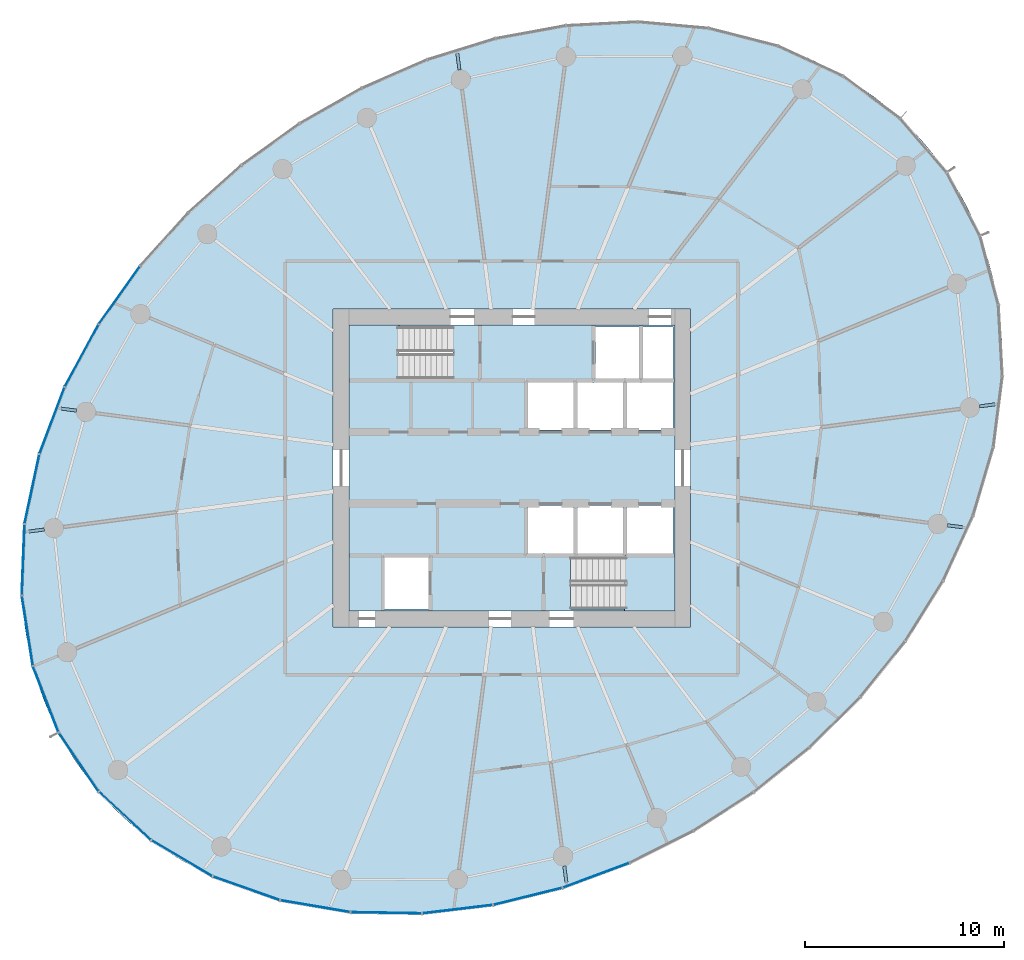
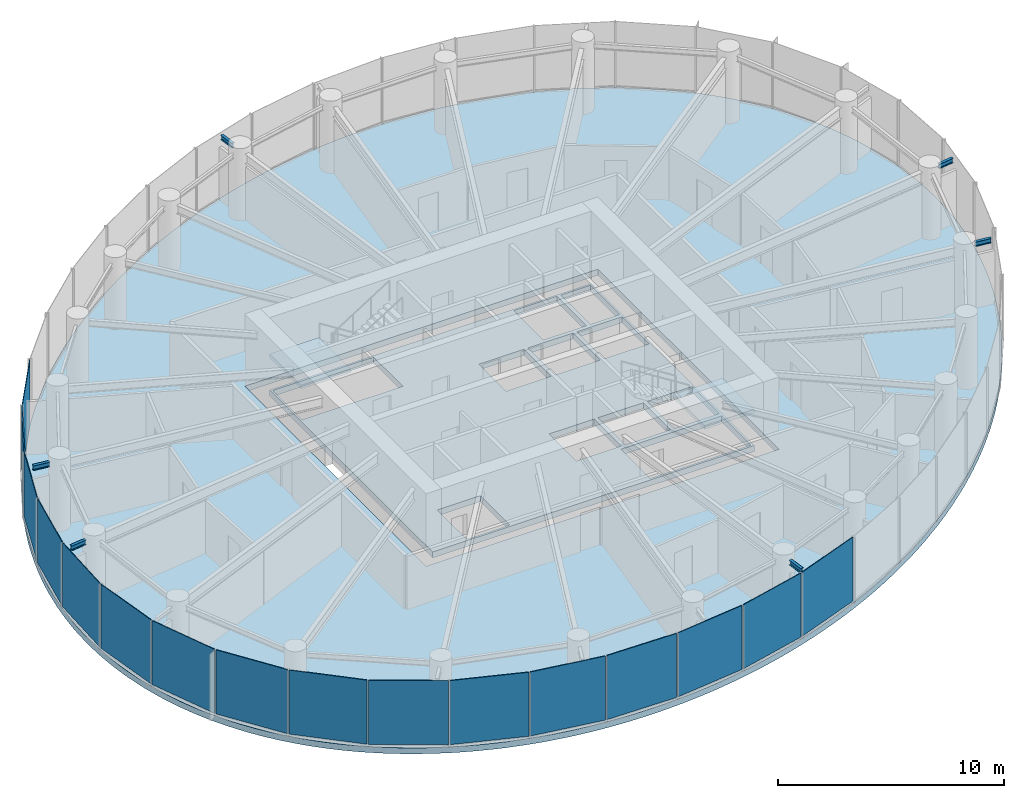
# One storey, part 7 of 14: 16 plates, 6 beams, 4 slabs, 5 elements without a shape of their own.
"""IFC4 building model written with IfcOpenShell, lengths in metres."""

from ifc_helpers import new_model, si_unit, direction, frame, origin, origin_2d, place, context, subcontext, project, spatial, line, indexed_curve, rectangle, i_section, outline, extrude, source, transform, mapped, material, layer, layer_set, material_profile, profile_set, type_object, element, aggregate, save


model = new_model("IFC4")

# Units and contexts
model_context = context("Model", 3, precision=1e-05, world=origin(), true_north=direction((0.0, 1.0)))
body_context = subcontext(model_context, "Body", "Model", "MODEL_VIEW")
ifc_project = project(units=[si_unit("LENGTHUNIT", "METRE"), si_unit("AREAUNIT", "SQUARE_METRE"), si_unit("VOLUMEUNIT", "CUBIC_METRE"), si_unit("PLANEANGLEUNIT", "RADIAN"), si_unit("MASSUNIT", "GRAM", prefix="KILO")], contexts=[model_context])

# Site, building, storey
site_placement = place(None, origin())
site = spatial("IfcSite", under=ifc_project, at=site_placement, CompositionType="ELEMENT")
building_placement = place(site_placement, origin())
building = spatial("IfcBuilding", under=site, at=building_placement, Name="Spindrift Exchange Tower", CompositionType="ELEMENT")
storey_placement = place(building_placement, frame((0.0, 0.0, 144.800048828125)))
storey = spatial("IfcBuildingStorey", under=building, at=storey_placement, Name="L34", CompositionType="ELEMENT", Elevation=144.800048828125)

# Beams
ifc_material_1 = material(Name="Steel Grade 300", Category="steel")
ifc_material_profile = material_profile(ifc_material_1, i_section(OverallWidth=0.14599609375, OverallDepth=0.251953125, WebThickness=0.006103515625, FlangeThickness=0.008544921875, FilletRadius=0.011962890625, at=origin_2d()), Name="250UB31.4")
ifc_profile_set = profile_set([ifc_material_profile], Name="Steel Grade 300")
beam_type = type_object("IfcBeamType", Name="Cantilever Beam 250UB31.4 Steel Grade 300", PredefinedType="BEAM", material=ifc_profile_set)
shared_shape_1 = source(origin(), body_context, "Body", "SweptSolid", [
    extrude(i_section(OverallWidth=0.14599609375, OverallDepth=0.251953125, WebThickness=0.006103515625, FlangeThickness=0.008544921875, FilletRadius=0.011962890625, at=origin_2d()), origin(), (0.0, 0.0, 1.0), 0.78466796875),
])
for number, where, z_axis, x_axis, name in (
    (1, (75.537841796875, 51.098876953125, 3.453857421875), (0.991468055404, 0.130349894953, 0.0), (-0.130349894953, 0.991468055404, 0.0), "L34 cantilever beam R01T"),
    (2, (28.462158203125, 44.901123046875, 3.453857421875), (-0.991468055404, -0.130349894953, 0.0), (0.130349894953, -0.991468055404, 0.0), "L34 cantilever beam R13T"),
):
    element("IfcBeam", number, at=place(storey_placement, frame(where, z_axis=z_axis, x_axis=x_axis)), inside=storey, type_object=beam_type, Name=name, PredefinedType="BEAM", context=body_context, shape_type="MappedRepresentation", body=[
        mapped(shared_shape_1, transform((0.0, 0.0, 0.0), scale=1.0)),
    ])
shared_shape_2 = source(origin(), body_context, "Body", "SweptSolid", [
    extrude(i_section(OverallWidth=0.14599609375, OverallDepth=0.251953125, WebThickness=0.006103515625, FlangeThickness=0.008544921875, FilletRadius=0.011962890625, at=origin_2d()), origin(), (0.0, 0.0, 1.0), 0.84228515625),
])
for number, where, z_axis, x_axis, name in (
    (3, (49.36328125, 68.027099609375, 3.453857421875), (-0.130417027817, 0.991459227026, 0.0), (-0.991459227026, -0.130417027817, 0.0), "L34 cantilever beam R07T"),
    (4, (54.63671875, 27.972900390625, 3.453857421875), (0.130417027817, -0.991459227026, 0.0), (0.991459227026, 0.130417027817, 0.0), "L34 cantilever beam R19T"),
):
    element("IfcBeam", number, at=place(storey_placement, frame(where, z_axis=z_axis, x_axis=x_axis)), inside=storey, type_object=beam_type, Name=name, PredefinedType="BEAM", context=body_context, shape_type="MappedRepresentation", body=[
        mapped(shared_shape_2, transform((0.0, 0.0, 0.0), scale=1.0)),
    ])
shared_shape_3 = source(origin(), body_context, "Body", "SweptSolid", [
    extrude(i_section(OverallWidth=0.14599609375, OverallDepth=0.251953125, WebThickness=0.006103515625, FlangeThickness=0.008544921875, FilletRadius=0.011962890625, at=origin_2d()), origin(), (0.0, 0.0, 1.0), 0.7890625),
])
for number, where, z_axis, x_axis, name in (
    (5, (30.0830078125, 50.885498046875, 3.453857421875), (-0.99147745178, 0.130278404244, 0.0), (-0.130278404244, -0.99147745178, 0.0), "L34 cantilever beam R12T"),
    (6, (73.9169921875, 45.114501953125, 3.453857421875), (0.99147745178, -0.130278404244, 0.0), (0.130278404244, 0.99147745178, 0.0), "L34 cantilever beam R24T"),
):
    element("IfcBeam", number, at=place(storey_placement, frame(where, z_axis=z_axis, x_axis=x_axis)), inside=storey, type_object=beam_type, Name=name, PredefinedType="BEAM", context=body_context, shape_type="MappedRepresentation", body=[
        mapped(shared_shape_3, transform((0.0, 0.0, 0.0), scale=1.0)),
    ])

# Slabs
ifc_material_2 = material(Name="Concrete 40 MPa", Category="concrete")
ifc_layer_1 = layer(ifc_material_2, 0.320068359375)
ifc_layer_set_1 = layer_set([ifc_layer_1], Name="RC Floor Slab 320 Concrete 40 MPa")
slab_type_1 = type_object("IfcSlabType", Name="RC Floor Slab 320 Concrete 40 MPa", PredefinedType="FLOOR", material=ifc_layer_set_1)
slab_1_placement = place(storey_placement, frame((0.0, 0.0, -0.320068359375)))
element("IfcSlab", 7, at=slab_1_placement, inside=storey, type_object=slab_type_1, Name="Floor slab L34", PredefinedType="FLOOR", context=body_context, shape_type="SweptSolid", body=[
    extrude(outline(indexed_curve([(73.890380859375, 62.86669921875), (73.655517578125, 63.202880859375), (73.412109375, 63.532958984375), (73.15966796875, 63.856689453125), (72.899169921875, 64.173583984375), (72.630615234375, 64.483642578125), (72.353759765625, 64.78662109375), (72.0693359375, 65.082275390625), (71.777587890625, 65.37060546875), (71.478271484375, 65.6513671875), (71.172119140625, 65.92431640625), (70.859130859375, 66.189697265625), (70.539794921875, 66.447021484375), (70.2138671875, 66.696533203125), (69.544677734375, 67.171142578125), (68.853515625, 67.613037109375), (68.5, 67.82177734375), (67.779541015625, 68.21435546875), (67.0419921875, 68.573974609375), (66.66748046875, 68.7412109375), (65.907958984375, 69.051513671875), (65.135986328125, 69.32958984375), (64.74560546875, 69.45654296875), (63.958251953125, 69.686767578125), (63.162109375, 69.8857421875), (62.761474609375, 69.9736328125), (61.955322265625, 70.127197265625), (61.55029296875, 70.192626953125), (60.737060546875, 70.3017578125), (60.3291015625, 70.345458984375), (59.51123046875, 70.411865234375), (59.1015625, 70.4345703125), (58.281494140625, 70.4599609375), (57.4609375, 70.45849609375), (57.05078125, 70.447998046875), (56.231201171875, 70.407958984375), (55.822021484375, 70.37841796875), (55.0048828125, 70.30126953125), (54.597412109375, 70.253662109375), (54.19091796875, 70.199951171875), (53.379638671875, 70.0751953125), (52.572509765625, 69.927490234375), (52.170654296875, 69.84521484375), (51.769775390625, 69.757568359375), (50.971923828125, 69.56591796875), (50.5751953125, 69.4619140625), (49.785400390625, 69.238525390625), (49.39306640625, 69.118896484375), (48.61279296875, 68.86474609375), (48.22509765625, 68.730224609375), (47.455322265625, 68.4462890625), (46.69287109375, 68.143310546875), (46.314453125, 67.984619140625), (45.93798828125, 67.821044921875), (45.191650390625, 67.480712890625), (44.821533203125, 67.303466796875), (44.087890625, 66.935791015625), (43.004638671875, 66.351318359375), (41.943359375, 65.728271484375), (41.248291015625, 65.291748046875), (40.564208984375, 64.8388671875), (39.55859375, 64.12939453125), (38.902587890625, 63.636474609375), (38.25830078125, 63.1279296875), (37.315673828125, 62.336669921875), (37.0078125, 62.065185546875), (36.40234375, 61.51171875), (36.104736328125, 61.229248046875), (35.52001953125, 60.653564453125), (35.23291015625, 60.3603515625), (34.669921875, 59.763427734375), (34.122314453125, 59.15234375), (33.854248046875, 58.841796875), (33.330322265625, 58.210205078125), (33.074462890625, 57.889404296875), (32.57568359375, 57.238037109375), (32.332763671875, 56.9072265625), (32.09423828125, 56.573486328125), (31.630859375, 55.896240234375), (31.186279296875, 55.20654296875), (30.971435546875, 54.85693359375), (30.761474609375, 54.504638671875), (30.356689453125, 53.790771484375), (29.972900390625, 53.065673828125), (29.7890625, 52.69873046875), (29.438232421875, 51.95703125), (29.271484375, 51.58203125), (28.955322265625, 50.82470703125), (28.806640625, 50.4423828125), (28.663818359375, 50.057861328125), (28.397705078125, 49.28173828125), (28.157958984375, 48.496826171875), (28.048095703125, 48.1015625), (27.849609375, 47.305419921875), (27.76123046875, 46.90478515625), (27.606689453125, 46.09912109375), (27.54052734375, 45.694091796875), (27.43212890625, 44.880615234375), (27.355712890625, 44.063720703125), (27.329833984375, 43.654296875), (27.303466796875, 42.834228515625), (27.30322265625, 42.423828125), (27.32958984375, 41.603759765625), (27.3916015625, 40.78564453125), (27.490966796875, 39.97119140625), (27.5546875, 39.56591796875), (27.710693359375, 38.76025390625), (27.802978515625, 38.360595703125), (28.0166015625, 37.568359375), (28.13818359375, 37.176513671875), (28.269287109375, 36.787841796875), (28.410400390625, 36.402587890625), (28.56103515625, 36.02099609375), (28.721435546875, 35.643310546875), (28.891357421875, 35.269775390625), (29.071044921875, 34.90087890625), (29.260009765625, 34.536865234375), (29.45849609375, 34.177734375), (29.66650390625, 33.823974609375), (29.88330078125, 33.475830078125), (30.109619140625, 33.13330078125), (30.344482421875, 32.797119140625), (30.587890625, 32.467041015625), (30.84033203125, 32.143310546875), (31.100830078125, 31.826416015625), (31.369384765625, 31.516357421875), (31.646240234375, 31.21337890625), (31.9306640625, 30.917724609375), (32.222412109375, 30.62939453125), (32.521728515625, 30.3486328125), (32.827880859375, 30.07568359375), (33.140869140625, 29.810302734375), (33.460205078125, 29.552978515625), (33.7861328125, 29.303466796875), (34.455322265625, 28.828857421875), (35.146484375, 28.386962890625), (35.5, 28.17822265625), (36.220458984375, 27.78564453125), (36.9580078125, 27.426025390625), (37.33251953125, 27.2587890625), (38.092041015625, 26.948486328125), (38.864013671875, 26.67041015625), (39.25439453125, 26.54345703125), (40.041748046875, 26.313232421875), (40.837890625, 26.1142578125), (41.238525390625, 26.0263671875), (42.044677734375, 25.872802734375), (42.44970703125, 25.807373046875), (43.262939453125, 25.6982421875), (43.6708984375, 25.654541015625), (44.48876953125, 25.588134765625), (44.8984375, 25.5654296875), (45.718505859375, 25.5400390625), (46.5390625, 25.54150390625), (46.94921875, 25.552001953125), (47.768798828125, 25.592041015625), (48.177978515625, 25.62158203125), (48.9951171875, 25.69873046875), (49.402587890625, 25.746337890625), (49.80908203125, 25.800048828125), (50.620361328125, 25.9248046875), (51.427490234375, 26.072509765625), (51.829345703125, 26.15478515625), (52.230224609375, 26.242431640625), (53.028076171875, 26.43408203125), (53.4248046875, 26.5380859375), (54.214599609375, 26.761474609375), (54.60693359375, 26.881103515625), (55.38720703125, 27.13525390625), (55.77490234375, 27.269775390625), (56.544677734375, 27.5537109375), (57.30712890625, 27.856689453125), (57.685546875, 28.015380859375), (58.06201171875, 28.178955078125), (58.808349609375, 28.519287109375), (59.178466796875, 28.696533203125), (59.912109375, 29.064208984375), (60.995361328125, 29.648681640625), (62.056640625, 30.271728515625), (62.751708984375, 30.708251953125), (63.435791015625, 31.1611328125), (64.44140625, 31.87060546875), (65.097412109375, 32.363525390625), (65.74169921875, 32.8720703125), (66.684326171875, 33.663330078125), (66.9921875, 33.934814453125), (67.59765625, 34.48828125), (67.895263671875, 34.770751953125), (68.47998046875, 35.346435546875), (68.76708984375, 35.6396484375), (69.330078125, 36.236572265625), (69.877685546875, 36.84765625), (70.145751953125, 37.158203125), (70.669677734375, 37.789794921875), (70.925537109375, 38.110595703125), (71.42431640625, 38.761962890625), (71.667236328125, 39.0927734375), (71.90576171875, 39.426513671875), (72.369140625, 40.103759765625), (72.813720703125, 40.79345703125), (73.028564453125, 41.14306640625), (73.238525390625, 41.495361328125), (73.643310546875, 42.209228515625), (74.027099609375, 42.934326171875), (74.2109375, 43.30126953125), (74.561767578125, 44.04296875), (74.728515625, 44.41796875), (75.044677734375, 45.17529296875), (75.193359375, 45.5576171875), (75.336181640625, 45.942138671875), (75.602294921875, 46.71826171875), (75.842041015625, 47.503173828125), (75.951904296875, 47.8984375), (76.150390625, 48.694580078125), (76.23876953125, 49.09521484375), (76.393310546875, 49.90087890625), (76.45947265625, 50.305908203125), (76.56787109375, 51.119384765625), (76.644287109375, 51.936279296875), (76.670166015625, 52.345703125), (76.696533203125, 53.165771484375), (76.69677734375, 53.576171875), (76.67041015625, 54.396240234375), (76.6083984375, 55.21435546875), (76.509033203125, 56.02880859375), (76.4453125, 56.43408203125), (76.289306640625, 57.23974609375), (76.197021484375, 57.639404296875), (75.9833984375, 58.431640625), (75.86181640625, 58.823486328125), (75.730712890625, 59.212158203125), (75.589599609375, 59.597412109375), (75.43896484375, 59.97900390625), (75.278564453125, 60.356689453125), (75.108642578125, 60.730224609375), (74.928955078125, 61.09912109375), (74.739990234375, 61.463134765625), (74.54150390625, 61.822265625), (74.33349609375, 62.176025390625), (74.11669921875, 62.524169921875)], segments=[line(1, 2, 3, 4, 5, 6, 7, 8, 9, 10, 11, 12, 13, 14, 15, 16, 17, 18, 19, 20, 21, 22, 23, 24, 25, 26, 27, 28, 29, 30, 31, 32, 33, 34, 35, 36, 37, 38, 39, 40, 41, 42, 43, 44, 45, 46, 47, 48, 49, 50, 51, 52, 53, 54, 55, 56, 57, 58, 59, 60, 61, 62, 63, 64, 65, 66, 67, 68, 69, 70, 71, 72, 73, 74, 75, 76, 77, 78, 79, 80, 81, 82, 83, 84, 85, 86, 87, 88, 89, 90, 91, 92, 93, 94, 95, 96, 97, 98, 99, 100, 101, 102, 103, 104, 105, 106, 107, 108, 109, 110, 111, 112, 113, 114, 115, 116, 117, 118, 119, 120, 121, 122, 123, 124, 125, 126, 127, 128, 129, 130, 131, 132, 133, 134, 135, 136, 137, 138, 139, 140, 141, 142, 143, 144, 145, 146, 147, 148, 149, 150, 151, 152, 153, 154, 155, 156, 157, 158, 159, 160, 161, 162, 163, 164, 165, 166, 167, 168, 169, 170, 171, 172, 173, 174, 175, 176, 177, 178, 179, 180, 181, 182, 183, 184, 185, 186, 187, 188, 189, 190, 191, 192, 193, 194, 195, 196, 197, 198, 199, 200, 201, 202, 203, 204, 205, 206, 207, 208, 209, 210, 211, 212, 213, 214, 215, 216, 217, 218, 219, 220, 221, 222, 223, 224, 225, 226, 227, 228, 229, 230, 231, 232, 233, 234, 235, 236, 237, 238, 239, 240, 1)], self_intersect=False), holes=[indexed_curve([(43.0, 40.0), (61.0, 40.0), (61.0, 56.0), (43.0, 56.0)], segments=[line(1, 2, 3, 4, 1)], self_intersect=False)]), origin(), (0.0, 0.0, 1.0), 0.320068359375),
])
ifc_material_3 = material(Name="Concrete 50 MPa", Category="concrete")
ifc_layer_2 = layer(ifc_material_3, 0.320068359375)
ifc_layer_set_2 = layer_set([ifc_layer_2], Name="SL-CORE-FLOOR-320")
slab_type_2 = type_object("IfcSlabType", Name="SL-CORE-FLOOR-320", PredefinedType="FLOOR", material=ifc_layer_set_2)
slab_2_placement = place(storey_placement, frame((0.0, 0.0, -0.320068359375)))
element("IfcSlab", 8, at=slab_2_placement, inside=storey, type_object=slab_type_2, Name="L34 Core floor slab", PredefinedType="FLOOR", context=body_context, shape_type="SweptSolid", body=[
    extrude(outline(indexed_curve([(43.800048828125, 40.800048828125), (43.800048828125, 55.199951171875), (60.199951171875, 55.199951171875), (60.199951171875, 40.800048828125)], segments=[line(1, 2, 3, 4, 1)], self_intersect=False), holes=[indexed_curve([(45.60009765625, 43.5), (45.60009765625, 40.89990234375), (47.800048828125, 40.89990234375), (47.800048828125, 43.5)], segments=[line(1, 2, 3, 4, 1)], self_intersect=False), indexed_curve([(52.800048828125, 46.10009765625), (52.800048828125, 43.699951171875), (55.10009765625, 43.699951171875), (55.10009765625, 46.10009765625)], segments=[line(1, 2, 3, 4, 1)], self_intersect=False), indexed_curve([(55.300048828125, 46.10009765625), (55.300048828125, 43.699951171875), (57.60009765625, 43.699951171875), (57.60009765625, 46.10009765625)], segments=[line(1, 2, 3, 4, 1)], self_intersect=False), indexed_curve([(55.10009765625, 52.300048828125), (52.800048828125, 52.300048828125), (52.800048828125, 49.89990234375), (55.10009765625, 49.89990234375)], segments=[line(1, 2, 3, 4, 1)], self_intersect=False), indexed_curve([(57.60009765625, 52.300048828125), (55.300048828125, 52.300048828125), (55.300048828125, 49.89990234375), (57.60009765625, 49.89990234375)], segments=[line(1, 2, 3, 4, 1)], self_intersect=False), indexed_curve([(43.906005859375, 52.506103515625), (49.0439453125, 52.506103515625), (49.0439453125, 55.093994140625), (43.906005859375, 55.093994140625)], segments=[line(1, 2, 3, 4, 1)], self_intersect=False), indexed_curve([(60.093994140625, 40.906005859375), (60.093994140625, 43.493896484375), (54.9560546875, 43.493896484375), (54.9560546875, 40.906005859375)], segments=[line(1, 2, 3, 4, 1)], self_intersect=False), indexed_curve([(60.10009765625, 46.10009765625), (57.800048828125, 46.10009765625), (57.800048828125, 43.699951171875), (60.10009765625, 43.699951171875)], segments=[line(1, 2, 3, 4, 1)], self_intersect=False), indexed_curve([(57.800048828125, 52.300048828125), (57.800048828125, 49.89990234375), (60.10009765625, 49.89990234375), (60.10009765625, 52.300048828125)], segments=[line(1, 2, 3, 4, 1)], self_intersect=False), indexed_curve([(58.39990234375, 55.10009765625), (56.199951171875, 55.10009765625), (56.199951171875, 52.5), (58.39990234375, 52.5)], segments=[line(1, 2, 3, 4, 1)], self_intersect=False), indexed_curve([(60.10009765625, 55.10009765625), (58.60009765625, 55.10009765625), (58.60009765625, 52.5), (60.10009765625, 52.5)], segments=[line(1, 2, 3, 4, 1)], self_intersect=False)]), origin(), (0.0, 0.0, 1.0), 0.320068359375),
])

# Stair, slab
stair_type = type_object("IfcStairType", Name="ST-1250-R177", PredefinedType="HALF_TURN_STAIR", material=ifc_material_3)
stair_1_placement = place(storey_placement, origin())
stair_1 = element("IfcStair", 9, at=stair_1_placement, inside=storey, type_object=stair_type, Name="L34 Exit stair ST1", PredefinedType="HALF_TURN_STAIR")
ifc_layer_3 = layer(ifc_material_3, 0.199951171875)
ifc_layer_set_3 = layer_set([ifc_layer_3], Name="SL-LANDING")
slab_type_3 = type_object("IfcSlabType", Name="SL-LANDING", PredefinedType="LANDING", material=ifc_layer_set_3)
slab_3_placement = place(storey_placement, frame((0.0, 0.0, 1.75)))
slab_3 = element("IfcSlab", 10, at=slab_3_placement, type_object=slab_type_3, Name="ST1 landing 1", PredefinedType="LANDING", context=body_context, shape_type="SweptSolid", body=[
    extrude(outline(indexed_curve([(46.330078125, 52.39990234375), (43.800048828125, 52.39990234375), (43.800048828125, 55.199951171875), (46.330078125, 55.199951171875)], segments=[line(1, 2, 3, 4, 1)], self_intersect=False)), origin(), (0.0, 0.0, 1.0), 0.199951171875),
])
aggregate(stair_1, [slab_3])

stair_2_placement = place(storey_placement, origin())
stair_2 = element("IfcStair", 11, at=stair_2_placement, inside=storey, type_object=stair_type, Name="L34 Exit stair ST2", PredefinedType="HALF_TURN_STAIR")
slab_4_placement = place(storey_placement, frame((0.0, 0.0, 1.75)))
slab_4 = element("IfcSlab", 12, at=slab_4_placement, type_object=slab_type_3, Name="ST2 landing 1", PredefinedType="LANDING", context=body_context, shape_type="SweptSolid", body=[
    extrude(outline(indexed_curve([(57.669921875, 43.60009765625), (60.199951171875, 43.60009765625), (60.199951171875, 40.800048828125), (57.669921875, 40.800048828125)], segments=[line(1, 2, 3, 4, 1)], self_intersect=False)), origin(), (0.0, 0.0, 1.0), 0.199951171875),
])
aggregate(stair_2, [slab_4])

# Curtain wall, plate
ifc_material_4 = material(Name="Fritted laminated glass with bronze frame", Category="glass")
ifc_layer_4 = layer(ifc_material_4, 0.179931640625)
ifc_layer_set_4 = layer_set([ifc_layer_4], Name="ZONE 3 BRONZE FRITTED WALL")
curtain_wall_type = type_object("IfcCurtainWallType", Name="ZONE 3 BRONZE FRITTED WALL", PredefinedType="NOTDEFINED", material=ifc_layer_set_4)
curtain_wall_1_placement = place(storey_placement, origin())
curtain_wall_1 = element("IfcCurtainWall", 13, at=curtain_wall_1_placement, inside=storey, type_object=curtain_wall_type, Name="L34 Zone 3 Bronze Fritted Wall run 3", PredefinedType="NOTDEFINED")
ifc_material_5 = material(Name="Bronze fritted laminated glass, open frit", Category="glass")
ifc_layer_5 = layer(ifc_material_5, 0.031982421875)
ifc_layer_set_5 = layer_set([ifc_layer_5], Name="ZONE 3 BRONZE FRITTED WALL PANEL OPEN FRIT 360")
plate_type_1 = type_object("IfcPlateType", Name="ZONE 3 BRONZE FRITTED WALL PANEL OPEN FRIT 360", PredefinedType="CURTAIN_PANEL", material=ifc_layer_set_5)
shared_shape_4 = source(origin(), body_context, "Body", "SweptSolid", [
    extrude(rectangle(XDim=3.530517578125, YDim=0.031982421875, at=origin_2d()), origin(), (0.0, 0.0, 1.0), 3.449951171875),
])
plate_1_placement = place(storey_placement, frame((32.24755859375, 56.69775390625, 0.1298828125), z_axis=(0.0, 0.0, 1.0), x_axis=(-0.580539540558, -0.81423205651, 0.0)))
plate_1 = element("IfcPlate", 14, at=plate_1_placement, type_object=plate_type_1, Name="L34 panel CW-3.14", PredefinedType="CURTAIN_PANEL", context=body_context, shape_type="MappedRepresentation", body=[
    mapped(shared_shape_4, transform((0.0, 0.0, 0.0), scale=1.0)),
])

# Curtain wall, plates
curtain_wall_2_placement = place(storey_placement, origin())
curtain_wall_2 = element("IfcCurtainWall", 15, at=curtain_wall_2_placement, inside=storey, type_object=curtain_wall_type, Name="L34 Zone 3 Bronze Fritted Wall run 5", PredefinedType="NOTDEFINED")
plate_2_placement = place(storey_placement, frame((52.8017578125, 26.43212890625, 0.1298828125), z_axis=(0.0, 0.0, 1.0), x_axis=(0.970916976027, 0.239416427304, 0.0)))
plate_2 = element("IfcPlate", 16, at=plate_2_placement, type_object=plate_type_1, Name="L34 panel CW-3.28", PredefinedType="CURTAIN_PANEL", context=body_context, shape_type="MappedRepresentation", body=[
    mapped(shared_shape_4, transform((0.0, 0.0, 0.0), scale=1.0)),
])
shared_shape_5 = source(origin(), body_context, "Body", "SweptSolid", [
    extrude(rectangle(XDim=3.530029296875, YDim=0.031982421875, at=origin_2d()), origin(), (0.0, 0.0, 1.0), 3.449951171875),
])
plate_3_placement = place(storey_placement, frame((49.2666015625, 25.7880859375, 0.1298828125), z_axis=(0.0, 0.0, 1.0), x_axis=(0.992967781117, 0.118384904715, 0.0)))
plate_3 = element("IfcPlate", 17, at=plate_3_placement, type_object=plate_type_1, Name="L34 panel CW-3.27", PredefinedType="CURTAIN_PANEL", context=body_context, shape_type="MappedRepresentation", body=[
    mapped(shared_shape_5, transform((0.0, 0.0, 0.0), scale=1.0)),
])

# Plate
shared_shape_6 = source(origin(), body_context, "Body", "SweptSolid", [
    extrude(rectangle(XDim=3.52880859375, YDim=0.031982421875, at=origin_2d()), origin(), (0.0, 0.0, 1.0), 3.449951171875),
])
plate_4_placement = place(storey_placement, frame((27.84228515625, 46.938720703125, 0.1298828125), z_axis=(0.0, 0.0, 1.0), x_axis=(-0.208044849681, -0.97811928747, 0.0)))
plate_4 = element("IfcPlate", 18, at=plate_4_placement, type_object=plate_type_1, Name="L34 panel CW-3.17", PredefinedType="CURTAIN_PANEL", context=body_context, shape_type="MappedRepresentation", body=[
    mapped(shared_shape_6, transform((0.0, 0.0, 0.0), scale=1.0)),
])

# Curtain wall, plates
curtain_wall_3_placement = place(storey_placement, origin())
curtain_wall_3 = element("IfcCurtainWall", 19, at=curtain_wall_3_placement, inside=storey, type_object=curtain_wall_type, Name="L34 Zone 3 Bronze Fritted Wall run 4", PredefinedType="NOTDEFINED")
ifc_layer_6 = layer(ifc_material_5, 0.031982421875)
ifc_layer_set_6 = layer_set([ifc_layer_6], Name="ZONE 3 BRONZE FRITTED WALL PANEL OPEN FRIT 600")
plate_type_2 = type_object("IfcPlateType", Name="ZONE 3 BRONZE FRITTED WALL PANEL OPEN FRIT 600", PredefinedType="CURTAIN_PANEL", material=ifc_layer_set_6)
shared_shape_7 = source(origin(), body_context, "Body", "SweptSolid", [
    extrude(rectangle(XDim=3.5263671875, YDim=0.031982421875, at=origin_2d()), origin(), (0.0, 0.0, 1.0), 3.449951171875),
])
plate_5_placement = place(storey_placement, frame((35.39111328125, 28.34814453125, 0.1298828125), z_axis=(0.0, 0.0, 1.0), x_axis=(0.861309207858, -0.508081143578, 0.0)))
plate_5 = element("IfcPlate", 20, at=plate_5_placement, type_object=plate_type_2, Name="L34 panel CW-3.23", PredefinedType="CURTAIN_PANEL", context=body_context, shape_type="MappedRepresentation", body=[
    mapped(shared_shape_7, transform((0.0, 0.0, 0.0), scale=1.0)),
])
shared_shape_8 = source(origin(), body_context, "Body", "SweptSolid", [
    extrude(rectangle(XDim=3.525146484375, YDim=0.031982421875, at=origin_2d()), origin(), (0.0, 0.0, 1.0), 3.449951171875),
])
plate_6_placement = place(storey_placement, frame((32.5234375, 30.483154296875, 0.1298828125), z_axis=(0.0, 0.0, 1.0), x_axis=(0.733667011378, -0.679509173165, 0.0)))
plate_6 = element("IfcPlate", 21, at=plate_6_placement, type_object=plate_type_2, Name="L34 panel CW-3.22", PredefinedType="CURTAIN_PANEL", context=body_context, shape_type="MappedRepresentation", body=[
    mapped(shared_shape_8, transform((0.0, 0.0, 0.0), scale=1.0)),
])

# Plate
shared_shape_9 = source(origin(), body_context, "Body", "SweptSolid", [
    extrude(rectangle(XDim=3.527587890625, YDim=0.031982421875, at=origin_2d()), origin(), (0.0, 0.0, 1.0), 3.449951171875),
])
plate_7_placement = place(storey_placement, frame((27.3994140625, 43.381103515625, 0.1298828125), z_axis=(0.0, 0.0, 1.0), x_axis=(-0.038220380441, -0.999269334323, 0.0)))
plate_7 = element("IfcPlate", 22, at=plate_7_placement, type_object=plate_type_2, Name="L34 panel CW-3.18", PredefinedType="CURTAIN_PANEL", context=body_context, shape_type="MappedRepresentation", body=[
    mapped(shared_shape_9, transform((0.0, 0.0, 0.0), scale=1.0)),
])

ifc_layer_7 = layer(ifc_material_5, 0.031982421875)
ifc_layer_set_7 = layer_set([ifc_layer_7], Name="ZONE 3 BRONZE FRITTED WALL PANEL OPEN FRIT 480")
plate_type_3 = type_object("IfcPlateType", Name="ZONE 3 BRONZE FRITTED WALL PANEL OPEN FRIT 480", PredefinedType="CURTAIN_PANEL", material=ifc_layer_set_7)
shared_shape_10 = source(origin(), body_context, "Body", "SweptSolid", [
    extrude(rectangle(XDim=3.53076171875, YDim=0.031982421875, at=origin_2d()), origin(), (0.0, 0.0, 1.0), 3.449951171875),
])
plate_8_placement = place(storey_placement, frame((56.237060546875, 27.490966796875, 0.1298828125), z_axis=(0.0, 0.0, 1.0), x_axis=(0.937252784299, 0.348650567651, 0.0)))
plate_8 = element("IfcPlate", 23, at=plate_8_placement, type_object=plate_type_3, Name="L34 panel CW-3.29", PredefinedType="CURTAIN_PANEL", context=body_context, shape_type="MappedRepresentation", body=[
    mapped(shared_shape_10, transform((0.0, 0.0, 0.0), scale=1.0)),
])

shared_shape_11 = source(origin(), body_context, "Body", "SweptSolid", [
    extrude(rectangle(XDim=3.530029296875, YDim=0.031982421875, at=origin_2d()), origin(), (0.0, 0.0, 1.0), 3.449951171875),
])
plate_9_placement = place(storey_placement, frame((30.34521484375, 53.649169921875, 0.1298828125), z_axis=(0.0, 0.0, 1.0), x_axis=(-0.476186023149, -0.879344569186, 0.0)))
plate_9 = element("IfcPlate", 24, at=plate_9_placement, type_object=plate_type_3, Name="L34 panel CW-3.15", PredefinedType="CURTAIN_PANEL", context=body_context, shape_type="MappedRepresentation", body=[
    mapped(shared_shape_11, transform((0.0, 0.0, 0.0), scale=1.0)),
])

shared_shape_12 = source(origin(), body_context, "Body", "SweptSolid", [
    extrude(rectangle(XDim=3.527587890625, YDim=0.031982421875, at=origin_2d()), origin(), (0.0, 0.0, 1.0), 3.449951171875),
])
plate_10_placement = place(storey_placement, frame((38.635986328125, 26.835693359375, 0.1298828125), z_axis=(0.0, 0.0, 1.0), x_axis=(0.942965555411, -0.332890314231, 0.0)))
plate_10 = element("IfcPlate", 25, at=plate_10_placement, type_object=plate_type_3, Name="L34 panel CW-3.24", PredefinedType="CURTAIN_PANEL", context=body_context, shape_type="MappedRepresentation", body=[
    mapped(shared_shape_12, transform((0.0, 0.0, 0.0), scale=1.0)),
])

shared_shape_13 = source(origin(), body_context, "Body", "SweptSolid", [
    extrude(rectangle(XDim=3.524658203125, YDim=0.031982421875, at=origin_2d()), origin(), (0.0, 0.0, 1.0), 3.449951171875),
])
plate_11_placement = place(storey_placement, frame((30.19482421875, 33.19140625, 0.1298828125), z_axis=(0.0, 0.0, 1.0), x_axis=(0.56181196435, -0.827264961613, 0.0)))
plate_11 = element("IfcPlate", 26, at=plate_11_placement, type_object=plate_type_1, Name="L34 panel CW-3.21", PredefinedType="CURTAIN_PANEL", context=body_context, shape_type="MappedRepresentation", body=[
    mapped(shared_shape_13, transform((0.0, 0.0, 0.0), scale=1.0)),
])

shared_shape_14 = source(origin(), body_context, "Body", "SweptSolid", [
    extrude(rectangle(XDim=3.525146484375, YDim=0.031982421875, at=origin_2d()), origin(), (0.0, 0.0, 1.0), 3.449951171875),
])
plate_12_placement = place(storey_placement, frame((28.535888671875, 36.3544921875, 0.1298828125), z_axis=(0.0, 0.0, 1.0), x_axis=(0.361129846755, -0.932515540773, 0.0)))
plate_12 = element("IfcPlate", 27, at=plate_12_placement, type_object=plate_type_1, Name="L34 panel CW-3.20", PredefinedType="CURTAIN_PANEL", context=body_context, shape_type="MappedRepresentation", body=[
    mapped(shared_shape_14, transform((0.0, 0.0, 0.0), scale=1.0)),
])

shared_shape_15 = source(origin(), body_context, "Body", "SweptSolid", [
    extrude(rectangle(XDim=3.5263671875, YDim=0.031982421875, at=origin_2d()), origin(), (0.0, 0.0, 1.0), 3.449951171875),
])
plate_13_placement = place(storey_placement, frame((27.60888671875, 39.807373046875, 0.1298828125), z_axis=(0.0, 0.0, 1.0), x_axis=(0.154687970161, -0.987963375782, 0.0)))
plate_13 = element("IfcPlate", 28, at=plate_13_placement, type_object=plate_type_3, Name="L34 panel CW-3.19", PredefinedType="CURTAIN_PANEL", context=body_context, shape_type="MappedRepresentation", body=[
    mapped(shared_shape_15, transform((0.0, 0.0, 0.0), scale=1.0)),
])

aggregate(curtain_wall_3, [plate_13, plate_12, plate_11, plate_6, plate_5, plate_10])

shared_shape_16 = source(origin(), body_context, "Body", "SweptSolid", [
    extrude(rectangle(XDim=3.528564453125, YDim=0.031982421875, at=origin_2d()), origin(), (0.0, 0.0, 1.0), 3.449951171875),
])
plate_14_placement = place(storey_placement, frame((42.106201171875, 25.935791015625, 0.1298828125), z_axis=(0.0, 0.0, 1.0), x_axis=(0.985908290036, -0.167286710885, 0.0)))
plate_14 = element("IfcPlate", 29, at=plate_14_placement, type_object=plate_type_3, Name="L34 panel CW-3.25", PredefinedType="CURTAIN_PANEL", context=body_context, shape_type="MappedRepresentation", body=[
    mapped(shared_shape_16, transform((0.0, 0.0, 0.0), scale=1.0)),
])

shared_shape_17 = source(origin(), body_context, "Body", "SweptSolid", [
    extrude(rectangle(XDim=3.529541015625, YDim=0.031982421875, at=origin_2d()), origin(), (0.0, 0.0, 1.0), 3.449951171875),
])
plate_15_placement = place(storey_placement, frame((28.852294921875, 50.382568359375, 0.1298828125), z_axis=(0.0, 0.0, 1.0), x_axis=(-0.353189112176, -0.935551949942, 0.0)))
plate_15 = element("IfcPlate", 30, at=plate_15_placement, type_object=plate_type_1, Name="L34 panel CW-3.16", PredefinedType="CURTAIN_PANEL", context=body_context, shape_type="MappedRepresentation", body=[
    mapped(shared_shape_17, transform((0.0, 0.0, 0.0), scale=1.0)),
])

aggregate(curtain_wall_1, [plate_1, plate_9, plate_15, plate_4, plate_7])

plate_16_placement = place(storey_placement, frame((45.6796875, 25.60498046875, 0.1298828125), z_axis=(0.0, 0.0, 1.0), x_axis=(0.999861529866, -0.016640946284, 0.0)))
plate_16 = element("IfcPlate", 31, at=plate_16_placement, type_object=plate_type_1, Name="L34 panel CW-3.26", PredefinedType="CURTAIN_PANEL", context=body_context, shape_type="MappedRepresentation", body=[
    mapped(shared_shape_17, transform((0.0, 0.0, 0.0), scale=1.0)),
])

aggregate(curtain_wall_2, [plate_14, plate_16, plate_3, plate_2, plate_8])

save(model, "model.ifc")
